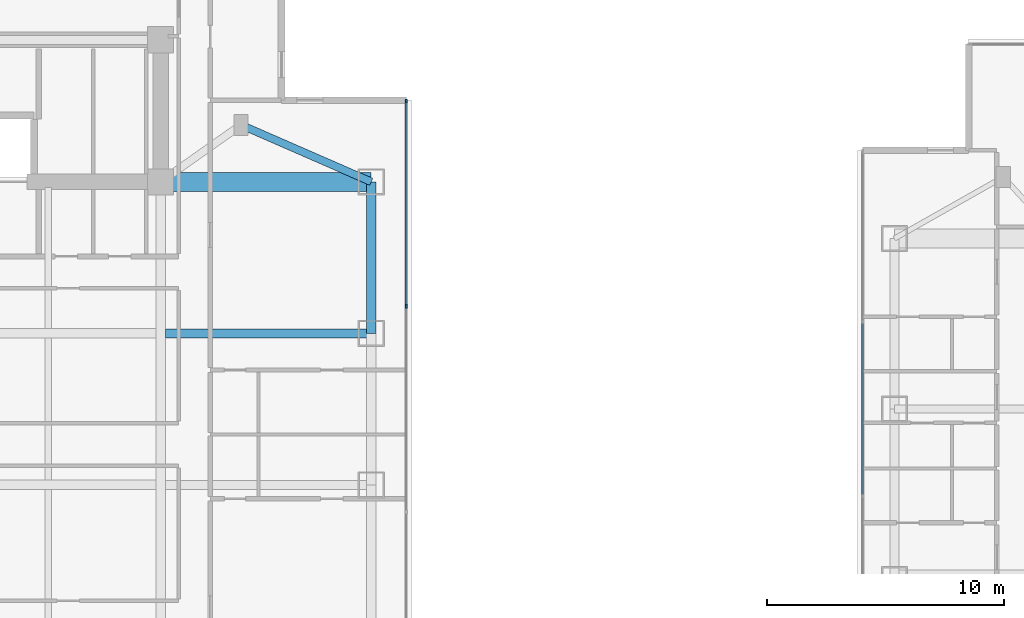
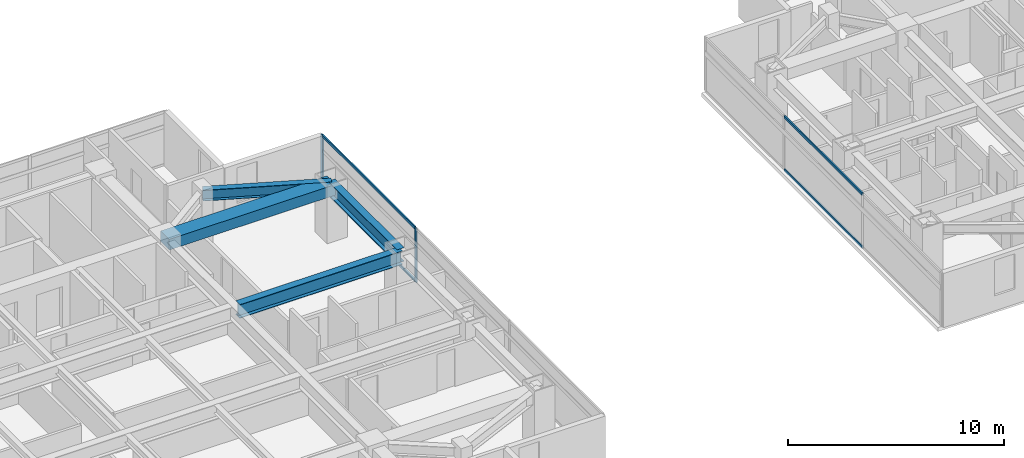
# One storey, part 6 of 24: 6 members, 4 beams, 2 elements without a shape of their own.
"""IFC4 building model written with IfcOpenShell, lengths in metres."""

from ifc_helpers import new_model, si_unit, direction, frame, origin, origin_2d, place, context, subcontext, project, spatial, rectangle, i_section, extrude, material, material_profile, profile_set, type_object, element, aggregate, save


model = new_model("IFC4")

# Units and contexts
model_context = context("Model", 3, precision=1e-05, world=origin(), true_north=direction((0.0, 1.0)))
body_context = subcontext(model_context, "Body", "Model", "MODEL_VIEW")
ifc_project = project(units=[si_unit("LENGTHUNIT", "METRE"), si_unit("AREAUNIT", "SQUARE_METRE"), si_unit("VOLUMEUNIT", "CUBIC_METRE"), si_unit("PLANEANGLEUNIT", "RADIAN"), si_unit("MASSUNIT", "GRAM", prefix="KILO")], contexts=[model_context])

# Site, building, storey
site_placement = place(None, origin())
site = spatial("IfcSite", under=ifc_project, at=site_placement, CompositionType="ELEMENT")
building_placement = place(site_placement, origin())
building = spatial("IfcBuilding", under=site, at=building_placement, Name="Mirazonda Arch Towers", CompositionType="ELEMENT")
storey_placement = place(building_placement, frame((0.0, 0.0, 118.10009765625)))
storey = spatial("IfcBuildingStorey", under=building, at=storey_placement, Name="L33", CompositionType="ELEMENT", Elevation=118.10009765625)

# Beams
ifc_material_1 = material(Name="Steel ASTM A992 Grade 50", Category="steel")
ifc_material_profile_1 = material_profile(ifc_material_1, i_section(OverallWidth=0.381103515625, OverallDepth=0.77294921875, WebThickness=0.0166015625, FlangeThickness=0.027099609375, at=origin_2d()), Name="W30X173")
ifc_profile_set_1 = profile_set([ifc_material_profile_1], Name="Steel ASTM A992 Grade 50")
beam_type_1 = type_object("IfcBeamType", Name="BM-EXT-W30X173", PredefinedType="USERDEFINED", material=ifc_profile_set_1)
beam_1_placement = place(storey_placement, frame((38.89990234375, 31.199951171875, 2.693359375), z_axis=(0.0, 1.0, 0.0), x_axis=(-1.0, 0.0, 0.0)))
element("IfcBeam", 1, at=beam_1_placement, inside=storey, type_object=beam_type_1, Name="L33 Floor Beam BM-T1-L33-NS-E-31", ObjectType="GIRDER", PredefinedType="USERDEFINED", context=body_context, shape_type="SweptSolid", body=[
    extrude(i_section(OverallWidth=0.381103515625, OverallDepth=0.77294921875, WebThickness=0.0166015625, FlangeThickness=0.027099609375, at=origin_2d()), origin(), (0.0, 0.0, 1.0), 6.400146484375),
])
ifc_material_profile_2 = material_profile(ifc_material_1, i_section(OverallWidth=0.324951171875, OverallDepth=0.615966796875, WebThickness=0.013916015625, FlangeThickness=0.021484375, at=origin_2d()), Name="W24X117")
ifc_profile_set_2 = profile_set([ifc_material_profile_2], Name="Steel ASTM A992 Grade 50")
beam_type_2 = type_object("IfcBeamType", Name="BM-INT-W24X117", PredefinedType="BEAM", material=ifc_profile_set_2)
beam_2_placement = place(storey_placement, frame((33.39990234375, 40.0, 2.77197265625), z_axis=(0.916545343703, -0.399930785183, 0.0), x_axis=(0.399930785183, 0.916545343703, 0.0)))
element("IfcBeam", 2, at=beam_2_placement, inside=storey, type_object=beam_type_2, Name="L33 Floor Beam BM-T1-L33-PL-NE2", PredefinedType="BEAM", context=body_context, shape_type="SweptSolid", body=[
    extrude(i_section(OverallWidth=0.324951171875, OverallDepth=0.615966796875, WebThickness=0.013916015625, FlangeThickness=0.021484375, at=origin_2d()), origin(), (0.0, 0.0, 1.0), 6.000732421875),
])
ifc_material_profile_3 = material_profile(ifc_material_1, i_section(OverallWidth=0.381103515625, OverallDepth=0.77294921875, WebThickness=0.0166015625, FlangeThickness=0.027099609375, at=origin_2d()), Name="W30X173")
ifc_profile_set_3 = profile_set([ifc_material_profile_3], Name="Steel ASTM A992 Grade 50")
beam_type_3 = type_object("IfcBeamType", Name="BM-INT-W30X173", PredefinedType="USERDEFINED", material=ifc_profile_set_3)
beam_3_placement = place(storey_placement, frame((30.199951171875, 31.199951171875, 2.693359375), z_axis=(1.0, 0.0, 0.0), x_axis=(0.0, 1.0, 0.0)))
element("IfcBeam", 3, at=beam_3_placement, inside=storey, type_object=beam_type_3, Name="L33 Floor Beam BM-T1-L33-GE3", ObjectType="GIRDER", PredefinedType="USERDEFINED", context=body_context, shape_type="SweptSolid", body=[
    extrude(i_section(OverallWidth=0.381103515625, OverallDepth=0.77294921875, WebThickness=0.0166015625, FlangeThickness=0.027099609375, at=origin_2d()), origin(), (0.0, 0.0, 1.0), 8.699951171875),
])
ifc_material_2 = material(Name="Concrete C60/75", Category="concrete")
ifc_material_profile_4 = material_profile(ifc_material_2, rectangle(XDim=0.800048828125, YDim=0.60009765625, at=origin_2d()), Name="RCCB800x600")
ifc_profile_set_4 = profile_set([ifc_material_profile_4], Name="Concrete C60/75")
beam_type_4 = type_object("IfcBeamType", Name="CB-INT-RCCB800x600", PredefinedType="SPANDREL", material=ifc_profile_set_4)
beam_4_placement = place(storey_placement, frame((30.0, 37.60009765625, 2.77978515625), z_axis=(1.0, 0.0, 0.0), x_axis=(0.0, 1.0, 0.0)))
element("IfcBeam", 4, at=beam_4_placement, inside=storey, type_object=beam_type_4, Name="L33 Floor Beam CBC-T1-L33-NE", PredefinedType="SPANDREL", context=body_context, shape_type="SweptSolid", body=[
    extrude(rectangle(XDim=0.800048828125, YDim=0.60009765625, at=origin_2d()), origin(), (0.0, 0.0, 1.0), 8.89990234375),
])

# Curtain wall, members
ifc_material_3 = material(Name="Anodised Aluminium and Low-E Glass", Category="aluminium")
curtain_wall_type = type_object("IfcCurtainWallType", Name="CW-HTL-UNIT", PredefinedType="NOTDEFINED", material=ifc_material_3)
curtain_wall_1_placement = place(storey_placement, origin())
curtain_wall_1 = element("IfcCurtainWall", 5, at=curtain_wall_1_placement, inside=storey, type_object=curtain_wall_type, Name="L33 T1 E Facade CW-L33-T1-E", PredefinedType="NOTDEFINED")
ifc_material_4 = material(Name="Anodised Aluminium Alloy", Category="aluminium")
ifc_material_profile_5 = material_profile(ifc_material_4, rectangle(XDim=0.074951171875, YDim=0.1650390625, at=origin_2d()), Name="ALU-MULL-75x165")
ifc_profile_set_5 = profile_set([ifc_material_profile_5], Name="Anodised Aluminium Alloy")
member_type_1 = type_object("IfcMemberType", Name="MULL-CW-HTL-UNIT", PredefinedType="MULLION", material=ifc_profile_set_5)
member_1_placement = place(storey_placement, frame((40.3798828125, 32.35009765625, 0.0), z_axis=(0.0, 0.0, 1.0), x_axis=(-1.0, 0.0, 0.0)))
member_1 = element("IfcMember", 6, at=member_1_placement, type_object=member_type_1, Name="CW-112 mullion 3", PredefinedType="MULLION", context=body_context, shape_type="SweptSolid", body=[
    extrude(rectangle(XDim=0.074951171875, YDim=0.1650390625, at=origin_2d()), origin(), (0.0, 0.0, 1.0), 3.059814453125),
])
member_2_placement = place(storey_placement, frame((40.3798828125, 41.012451171875, 0.0), z_axis=(0.0, 0.0, 1.0), x_axis=(-1.0, 0.0, 0.0)))
member_2 = element("IfcMember", 7, at=member_2_placement, type_object=member_type_1, Name="CW-112 mullion 4", PredefinedType="MULLION", context=body_context, shape_type="SweptSolid", body=[
    extrude(rectangle(XDim=0.074951171875, YDim=0.1650390625, at=origin_2d()), origin(), (0.0, 0.0, 1.0), 3.059814453125),
])
ifc_material_profile_6 = material_profile(ifc_material_4, rectangle(XDim=0.074951171875, YDim=0.14501953125, at=origin_2d()), Name="ALU-TRAN-75x145")
ifc_profile_set_6 = profile_set([ifc_material_profile_6], Name="Anodised Aluminium Alloy")
member_type_2 = type_object("IfcMemberType", Name="TRAN-CW-HTL-UNIT", PredefinedType="USERDEFINED", material=ifc_profile_set_6)
member_3_placement = place(storey_placement, frame((40.3798828125, 32.387451171875, 0.037353515625), z_axis=(0.0, 1.0, 0.0), x_axis=(-1.0, 0.0, 0.0)))
member_3 = element("IfcMember", 8, at=member_3_placement, type_object=member_type_2, Name="CW-112 transom 3.1", ObjectType="TRANSOM", PredefinedType="USERDEFINED", context=body_context, shape_type="SweptSolid", body=[
    extrude(rectangle(XDim=0.074951171875, YDim=0.14501953125, at=origin_2d()), origin(), (0.0, 0.0, 1.0), 8.587646484375),
])
member_4_placement = place(storey_placement, frame((40.3798828125, 32.387451171875, 3.0224609375), z_axis=(0.0, 1.0, 0.0), x_axis=(-1.0, 0.0, 0.0)))
member_4 = element("IfcMember", 9, at=member_4_placement, type_object=member_type_2, Name="CW-112 transom 3.2", ObjectType="TRANSOM", PredefinedType="USERDEFINED", context=body_context, shape_type="SweptSolid", body=[
    extrude(rectangle(XDim=0.074951171875, YDim=0.14501953125, at=origin_2d()), origin(), (0.0, 0.0, 1.0), 8.587646484375),
])
aggregate(curtain_wall_1, [member_1, member_2, member_3, member_4])

curtain_wall_2_placement = place(storey_placement, origin())
curtain_wall_2 = element("IfcCurtainWall", 10, at=curtain_wall_2_placement, inside=storey, type_object=curtain_wall_type, Name="L33 T2 W Facade CW-L33-T2-W", PredefinedType="NOTDEFINED")
member_5_placement = place(storey_placement, frame((59.655029296875, 31.606689453125, 0.037353515625), z_axis=(0.0, -1.0, 0.0), x_axis=(1.0, 0.0, 0.0)))
member_5 = element("IfcMember", 11, at=member_5_placement, type_object=member_type_2, Name="CW-112 transom 2.1", ObjectType="TRANSOM", PredefinedType="USERDEFINED", context=body_context, shape_type="SweptSolid", body=[
    extrude(rectangle(XDim=0.074951171875, YDim=0.14501953125, at=origin_2d()), origin(), (0.0, 0.0, 1.0), 7.21337890625),
])
member_6_placement = place(storey_placement, frame((59.655029296875, 31.606689453125, 3.0224609375), z_axis=(0.0, -1.0, 0.0), x_axis=(1.0, 0.0, 0.0)))
member_6 = element("IfcMember", 12, at=member_6_placement, type_object=member_type_2, Name="CW-112 transom 2.2", ObjectType="TRANSOM", PredefinedType="USERDEFINED", context=body_context, shape_type="SweptSolid", body=[
    extrude(rectangle(XDim=0.074951171875, YDim=0.14501953125, at=origin_2d()), origin(), (0.0, 0.0, 1.0), 7.21337890625),
])
aggregate(curtain_wall_2, [member_5, member_6])

save(model, "model.ifc")
